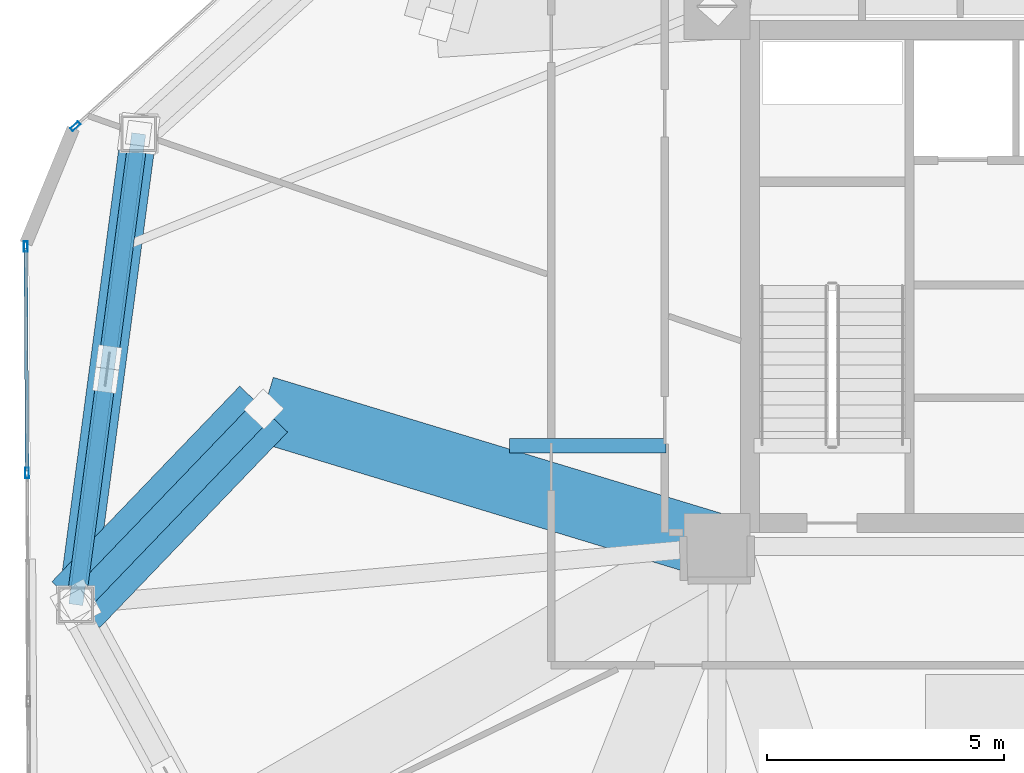
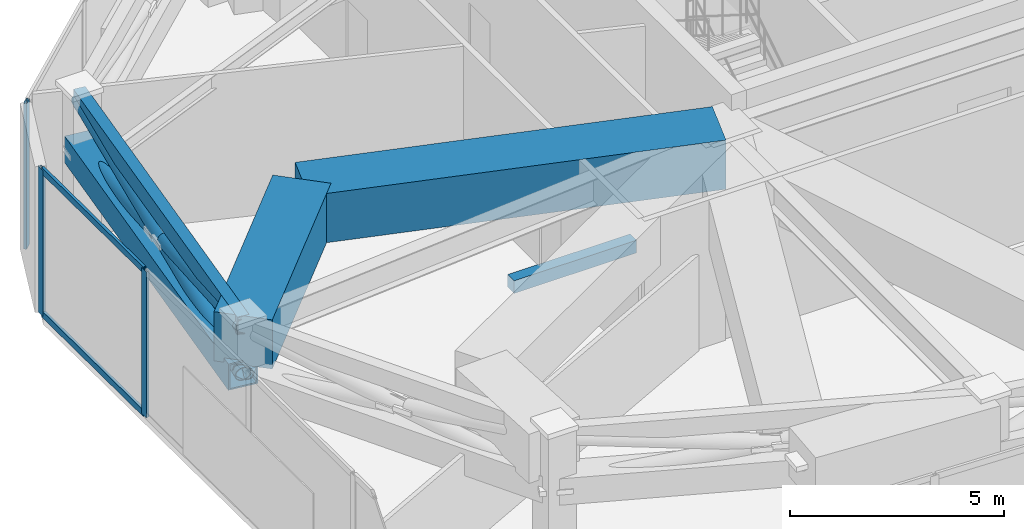
# One storey, part 7 of 25: 10 members, 4 beams, 2 elements without a shape of their own.
"""IFC4 building model written with IfcOpenShell, lengths in metres."""

from ifc_helpers import new_model, si_unit, direction, frame, origin, origin_2d, place, context, subcontext, project, spatial, rectangle, hollow_rectangle, hollow_circle, extrude, source, transform, mapped, material, layer, layer_set, material_profile, profile_set, type_object, type_shapes, element, aggregate, save


model = new_model("IFC4")

# Units and contexts
model_context = context("Model", 3, precision=1e-05, world=origin(), true_north=direction((0.0, 1.0)))
body_context = subcontext(model_context, "Body", "Model", "MODEL_VIEW")
ifc_project = project(units=[si_unit("LENGTHUNIT", "METRE"), si_unit("AREAUNIT", "SQUARE_METRE"), si_unit("VOLUMEUNIT", "CUBIC_METRE"), si_unit("PLANEANGLEUNIT", "RADIAN"), si_unit("MASSUNIT", "GRAM", prefix="KILO")], contexts=[model_context])

# Site, building, storey
site_placement = place(None, origin())
site = spatial("IfcSite", under=ifc_project, at=site_placement, CompositionType="ELEMENT")
building_placement = place(site_placement, origin())
building = spatial("IfcBuilding", under=site, at=building_placement, Name="Talar Marvaseh", CompositionType="ELEMENT")
storey_placement = place(building_placement, frame((0.0, 0.0, 84.800048828125)))
storey = spatial("IfcBuildingStorey", under=building, at=storey_placement, Name="L21", CompositionType="ELEMENT", Elevation=84.800048828125)

# Beams
ifc_material_1 = material(Name="Concrete C40/50", Category="concrete")
ifc_material_profile_1 = material_profile(ifc_material_1, rectangle(XDim=0.300048828125, YDim=0.360107421875, at=origin_2d()), Name="RC300x360")
ifc_profile_set_1 = profile_set([ifc_material_profile_1], Name="Concrete C40/50")
beam_type_1 = type_object("IfcBeamType", Name="Concrete Stair Landing Trimmer Beam RC300x360", PredefinedType="SPANDREL", material=ifc_profile_set_1)
beam_1_placement = place(storey_placement, frame((17.6201171875, 27.6298828125, -0.179931640625), z_axis=(-1.0, 0.0, 0.0), x_axis=(0.0, -1.0, 0.0)))
element("IfcBeam", 1, at=beam_1_placement, inside=storey, type_object=beam_type_1, Name="L21 ST-3 Stair Nosing Trimmer Beam", PredefinedType="SPANDREL", context=body_context, shape_type="SweptSolid", body=[
    extrude(rectangle(XDim=0.300048828125, YDim=0.360107421875, at=origin_2d()), origin(), (0.0, 0.0, 1.0), 3.300048828125),
])
ifc_material_2 = material(Name="Concrete C70/85", Category="concrete")
ifc_material_profile_2 = material_profile(ifc_material_2, rectangle(XDim=1.39990234375, YDim=1.39990234375, at=origin_2d()), Name="RC1400x1400")
ifc_profile_set_2 = profile_set([ifc_material_profile_2], Name="Concrete C70/85")
beam_type_2 = type_object("IfcBeamType", Name="Setback Deep Concrete Transfer Girder RC1400x1400", PredefinedType="BEAM", material=ifc_profile_set_2)
beam_2_placement = place(storey_placement, frame((5.175048828125, 24.27587890625, 3.449951171875), z_axis=(0.692688153829, 0.721237215862, 0.0), x_axis=(-0.721237215862, 0.692688153829, 0.0)))
element("IfcBeam", 2, at=beam_2_placement, inside=storey, type_object=beam_type_2, Name="L21 Setback Cantilever Transfer Girder 9", PredefinedType="BEAM", context=body_context, shape_type="SweptSolid", body=[
    extrude(rectangle(XDim=1.39990234375, YDim=1.39990234375, at=origin_2d()), origin(), (0.0, 0.0, 1.0), 5.720947265625),
])
beam_3_placement = place(storey_placement, frame((9.137939453125, 28.402099609375, 3.449951171875), z_axis=(0.956898764921, -0.290421682546, 0.0), x_axis=(0.290421682546, 0.956898764921, 0.0)))
element("IfcBeam", 3, at=beam_3_placement, inside=storey, type_object=beam_type_2, Name="L21 Setback Backspan Transfer Girder 9", PredefinedType="BEAM", context=body_context, shape_type="SweptSolid", body=[
    extrude(rectangle(XDim=1.39990234375, YDim=1.39990234375, at=origin_2d()), origin(), (0.0, 0.0, 1.0), 9.99267578125),
])
ifc_material_3 = material(Name="Steel S355", Category="steel")
ifc_material_profile_3 = material_profile(ifc_material_3, hollow_rectangle(XDim=0.300048828125, YDim=0.5, WallThickness=0.02001953125, at=origin_2d()), Name="RHS500x300x20")
ifc_profile_set_3 = profile_set([ifc_material_profile_3], Name="Steel S355")
beam_type_3 = type_object("IfcBeamType", Name="Zone 1 Perimeter Spandrel Beam RHS500x300x20", PredefinedType="SPANDREL", material=ifc_profile_set_3)
beam_4_placement = place(storey_placement, frame((5.175048828125, 24.27587890625, 3.89990234375), z_axis=(0.132340758564, 0.991204279461, 0.0), x_axis=(-0.991204279461, 0.132340758564, 0.0)))
element("IfcBeam", 4, at=beam_4_placement, inside=storey, type_object=beam_type_3, Name="L21 Zone 1 Perimeter Spandrel Beam RHS500x300x20", PredefinedType="SPANDREL", context=body_context, shape_type="SweptSolid", body=[
    extrude(hollow_rectangle(XDim=0.300048828125, YDim=0.5, WallThickness=0.02001953125, at=origin_2d()), origin(), (0.0, 0.0, 1.0), 10.0263671875),
])

# Members
ifc_material_4 = material(Name="Steel S460", Category="steel")
ifc_material_profile_4 = material_profile(ifc_material_4, hollow_circle(Radius=0.25390625, WallThickness=0.02001953125, at=origin_2d()), Name="CHS508x20")
ifc_profile_set_4 = profile_set([ifc_material_profile_4], Name="Steel S460")
member_type_1 = type_object("IfcMemberType", Name="Crown Frame Diagonal Brace CHS508x20", PredefinedType="BRACE", material=ifc_profile_set_4)
shared_shape_1 = source(origin(), body_context, "Body", "SweptSolid", [
    extrude(hollow_circle(Radius=0.25390625, WallThickness=0.02001953125, at=origin_2d()), origin(), (0.0, 0.0, 1.0), 5.82568359375),
])
type_shapes(member_type_1, [shared_shape_1])
member_1_placement = place(storey_placement, frame((5.175048828125, 24.27587890625, 2.550048828125), z_axis=(0.680231834833, 0.708267511121, 0.188790316407), x_axis=(-0.721237215862, 0.692688153829, 0.0)))
element("IfcMember", 5, at=member_1_placement, inside=storey, type_object=member_type_1, Name="L21 Setback Transfer Raked Strut 9", PredefinedType="BRACE", context=body_context, shape_type="MappedRepresentation", body=[
    mapped(shared_shape_1, transform((0.0, 0.0, 0.0), x_axis=(1.0, 0.0, 0.0), y_axis=(0.0, 1.0, 0.0), z_axis=(0.0, 0.0, 1.0), scale=1.0)),
])
ifc_material_profile_5 = material_profile(ifc_material_4, hollow_rectangle(XDim=0.75, YDim=0.75, WallThickness=0.0400390625, at=origin_2d()), Name="BOX750x750x40")
ifc_profile_set_5 = profile_set([ifc_material_profile_5], Name="Steel S460")
member_type_2 = type_object("IfcMemberType", Name="Belt Truss Chord Member BOX750x750x40", PredefinedType="CHORD", material=ifc_profile_set_5)
shared_shape_2 = source(origin(), body_context, "Body", "SweptSolid", [
    extrude(hollow_rectangle(XDim=0.75, YDim=0.75, WallThickness=0.0400390625, at=origin_2d()), origin(), (0.0, 0.0, 1.0), 10.0263671875),
])
type_shapes(member_type_2, [shared_shape_2])
member_2_placement = place(storey_placement, frame((5.175048828125, 24.27587890625, 2.5), z_axis=(0.132340758564, 0.991204279461, 0.0), x_axis=(-0.991204279461, 0.132340758564, 0.0)))
element("IfcMember", 6, at=member_2_placement, inside=storey, type_object=member_type_2, Name="L21 Belt Truss Bottom Chord 8", PredefinedType="CHORD", context=body_context, shape_type="MappedRepresentation", body=[
    mapped(shared_shape_2, transform((0.0, 0.0, 0.0), x_axis=(1.0, 0.0, 0.0), y_axis=(0.0, 1.0, 0.0), z_axis=(0.0, 0.0, 1.0), scale=1.0)),
])
ifc_material_profile_6 = material_profile(ifc_material_4, hollow_circle(Radius=0.203125, WallThickness=0.01611328125, at=origin_2d()), Name="CHS406x16")
ifc_profile_set_6 = profile_set([ifc_material_profile_6], Name="Steel S460")
member_type_3 = type_object("IfcMemberType", Name="Belt Truss Diagonal Brace CHS406x16", PredefinedType="BRACE", material=ifc_profile_set_6)
shared_shape_3 = source(origin(), body_context, "Body", "SweptSolid", [
    extrude(hollow_circle(Radius=0.203125, WallThickness=0.01611328125, at=origin_2d()), origin(), (0.0, 0.0, 1.0), 10.116943359375),
])
member_3_placement = place(storey_placement, frame((5.175048828125, 24.27587890625, 2.5), z_axis=(0.131157472644, 0.982341718294, 0.133425881555), x_axis=(-0.991204279461, 0.132340758564, 0.0)))
element("IfcMember", 7, at=member_3_placement, inside=storey, type_object=member_type_3, Name="L21 Belt Truss Continuous Diagonal 8", PredefinedType="BRACE", context=body_context, shape_type="MappedRepresentation", body=[
    mapped(shared_shape_3, transform((0.0, 0.0, 0.0), x_axis=(1.0, 0.0, 0.0), y_axis=(0.0, 1.0, 0.0), z_axis=(0.0, 0.0, 1.0), scale=1.0)),
])
shared_shape_4 = source(origin(), body_context, "Body", "SweptSolid", [
    extrude(hollow_circle(Radius=0.203125, WallThickness=0.01611328125, at=origin_2d()), origin(), (0.0, 0.0, 1.0), 4.818603515625),
])
member_4_placement = place(storey_placement, frame((6.501953125, 34.214111328125, 2.5), z_axis=(-0.131127469582, -0.982341337039, 0.133458174219), x_axis=(0.991208243507, -0.132311065308, 0.0)))
element("IfcMember", 8, at=member_4_placement, inside=storey, type_object=member_type_3, Name="L21 Belt Truss Split Diagonal Lower 8", PredefinedType="BRACE", context=body_context, shape_type="MappedRepresentation", body=[
    mapped(shared_shape_4, transform((0.0, 0.0, 0.0), x_axis=(1.0, 0.0, 0.0), y_axis=(0.0, 1.0, 0.0), z_axis=(0.0, 0.0, 1.0), scale=1.0)),
])
shared_shape_5 = source(origin(), body_context, "Body", "SweptSolid", [
    extrude(hollow_circle(Radius=0.203125, WallThickness=0.01611328125, at=origin_2d()), origin(), (0.0, 0.0, 1.0), 4.818359375),
])
type_shapes(member_type_3, [shared_shape_3, shared_shape_4, shared_shape_5])
member_5_placement = place(storey_placement, frame((5.806884765625, 29.00927734375, 3.20703125), z_axis=(-0.131128356105, -0.982347978428, 0.133408408665), x_axis=(0.991208243507, -0.132311065308, 0.0)))
element("IfcMember", 9, at=member_5_placement, inside=storey, type_object=member_type_3, Name="L21 Belt Truss Split Diagonal Upper 8", PredefinedType="BRACE", context=body_context, shape_type="MappedRepresentation", body=[
    mapped(shared_shape_5, transform((0.0, 0.0, 0.0), x_axis=(1.0, 0.0, 0.0), y_axis=(0.0, 1.0, 0.0), z_axis=(0.0, 0.0, 1.0), scale=1.0)),
])

# Curtain wall, members
ifc_material_5 = material(Name="Architectural Aluminium", Category="aluminium")
ifc_layer = layer(ifc_material_5, 0.219970703125)
ifc_layer_set = layer_set([ifc_layer], Name="Architectural Aluminium")
curtain_wall_type = type_object("IfcCurtainWallType", Name="Unitised Low-E Museum Curtain Wall Z1", PredefinedType="NOTDEFINED", material=ifc_layer_set)
curtain_wall_1_placement = place(storey_placement, origin())
curtain_wall_1 = element("IfcCurtainWall", 10, at=curtain_wall_1_placement, inside=storey, type_object=curtain_wall_type, Name="L21 Unitised Low-E Museum Curtain Wall Z1", PredefinedType="NOTDEFINED")
ifc_material_profile_7 = material_profile(ifc_material_5, hollow_rectangle(XDim=0.074951171875, YDim=0.179931640625, WallThickness=0.0048828125, at=origin_2d()), Name="RHS180x75x5")
ifc_profile_set_7 = profile_set([ifc_material_profile_7], Name="Architectural Aluminium")
member_type_4 = type_object("IfcMemberType", Name="Unitised Curtain Wall Transom RHS180x75x5", PredefinedType="USERDEFINED", material=ifc_profile_set_7)
shared_shape_6 = source(origin(), body_context, "Body", "SweptSolid", [
    extrude(hollow_rectangle(XDim=0.074951171875, YDim=0.179931640625, WallThickness=0.0048828125, at=origin_2d()), origin(), (0.0, 0.0, 1.0), 4.696533203125),
])
type_shapes(member_type_4, [shared_shape_6])
member_6_placement = place(storey_placement, frame((4.1474609375, 27.095458984375, 0.037353515625), z_axis=(-0.006029936637, 0.999981819767, 0.0), x_axis=(-0.999981819767, -0.006029936637, 0.0)))
member_6 = element("IfcMember", 11, at=member_6_placement, type_object=member_type_4, Name="CW-Z1 transom 4.1", ObjectType="TRANSOM", PredefinedType="USERDEFINED", context=body_context, shape_type="MappedRepresentation", body=[
    mapped(shared_shape_6, transform((0.0, 0.0, 0.0), x_axis=(1.0, 0.0, 0.0), y_axis=(0.0, 1.0, 0.0), z_axis=(0.0, 0.0, 1.0), scale=1.0)),
])
member_7_placement = place(storey_placement, frame((4.1474609375, 27.095458984375, 4.112548828125), z_axis=(-0.006029936637, 0.999981819767, 0.0), x_axis=(-0.999981819767, -0.006029936637, 0.0)))
member_7 = element("IfcMember", 12, at=member_7_placement, type_object=member_type_4, Name="CW-Z1 transom 4.2", ObjectType="TRANSOM", PredefinedType="USERDEFINED", context=body_context, shape_type="MappedRepresentation", body=[
    mapped(shared_shape_6, transform((0.0, 0.0, 0.0), x_axis=(1.0, 0.0, 0.0), y_axis=(0.0, 1.0, 0.0), z_axis=(0.0, 0.0, 1.0), scale=1.0)),
])
ifc_material_profile_8 = material_profile(ifc_material_5, hollow_rectangle(XDim=0.080078125, YDim=0.219970703125, WallThickness=0.0048828125, at=origin_2d()), Name="RHS220x80x5")
ifc_profile_set_8 = profile_set([ifc_material_profile_8], Name="Architectural Aluminium")
member_type_5 = type_object("IfcMemberType", Name="Unitised Curtain Wall Heavy Mullion RHS220x80x5", PredefinedType="MULLION", material=ifc_profile_set_8)
shared_shape_7 = source(origin(), body_context, "Body", "SweptSolid", [
    extrude(hollow_rectangle(XDim=0.080078125, YDim=0.219970703125, WallThickness=0.0048828125, at=origin_2d()), origin(), (0.0, 0.0, 1.0), 4.14990234375),
])
type_shapes(member_type_5, [shared_shape_7])
member_8_placement = place(storey_placement, frame((4.147705078125, 27.055419921875, 0.0), z_axis=(0.0, 0.0, 1.0), x_axis=(-0.999981749429, -0.006041589923, 0.0)))
member_8 = element("IfcMember", 13, at=member_8_placement, type_object=member_type_5, Name="CW-Z1 mullion 4", PredefinedType="MULLION", context=body_context, shape_type="MappedRepresentation", body=[
    mapped(shared_shape_7, transform((0.0, 0.0, 0.0), x_axis=(1.0, 0.0, 0.0), y_axis=(0.0, 1.0, 0.0), z_axis=(0.0, 0.0, 1.0), scale=1.0)),
])
member_9_placement = place(storey_placement, frame((4.118896484375, 31.831787109375, 0.0), z_axis=(0.0, 0.0, 1.0), x_axis=(-0.999981749429, -0.006041589923, 0.0)))
member_9 = element("IfcMember", 14, at=member_9_placement, type_object=member_type_5, Name="CW-Z1 mullion 5", PredefinedType="MULLION", context=body_context, shape_type="MappedRepresentation", body=[
    mapped(shared_shape_7, transform((0.0, 0.0, 0.0), x_axis=(1.0, 0.0, 0.0), y_axis=(0.0, 1.0, 0.0), z_axis=(0.0, 0.0, 1.0), scale=1.0)),
])
aggregate(curtain_wall_1, [member_8, member_9, member_6, member_7])

# Curtain wall, member
curtain_wall_2_placement = place(storey_placement, origin())
curtain_wall_2 = element("IfcCurtainWall", 15, at=curtain_wall_2_placement, inside=storey, type_object=curtain_wall_type, Name="L21 Unitised Low-E Museum Curtain Wall Z1", PredefinedType="NOTDEFINED")
member_10_placement = place(storey_placement, frame((5.16650390625, 34.369384765625, 0.0), z_axis=(0.0, 0.0, 1.0), x_axis=(-0.670010893092, 0.742351266678, 0.0)))
member_10 = element("IfcMember", 16, at=member_10_placement, type_object=member_type_5, Name="CW-Z1 mullion 1", PredefinedType="MULLION", context=body_context, shape_type="MappedRepresentation", body=[
    mapped(shared_shape_7, transform((0.0, 0.0, 0.0), x_axis=(1.0, 0.0, 0.0), y_axis=(0.0, 1.0, 0.0), z_axis=(0.0, 0.0, 1.0), scale=1.0)),
])
aggregate(curtain_wall_2, [member_10])

save(model, "model.ifc")
